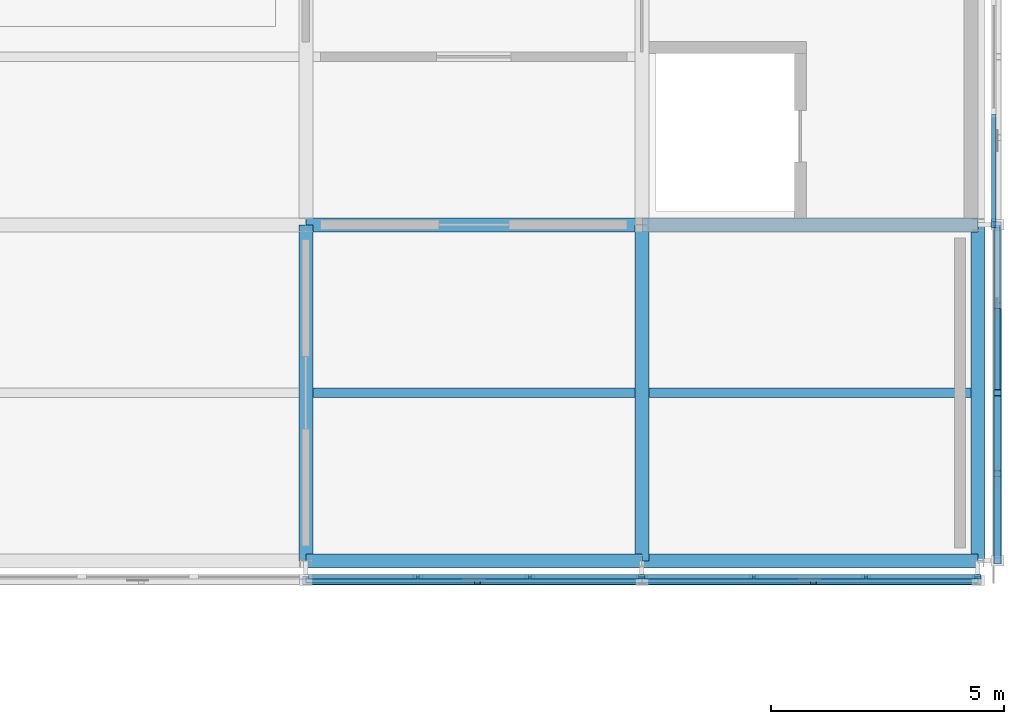
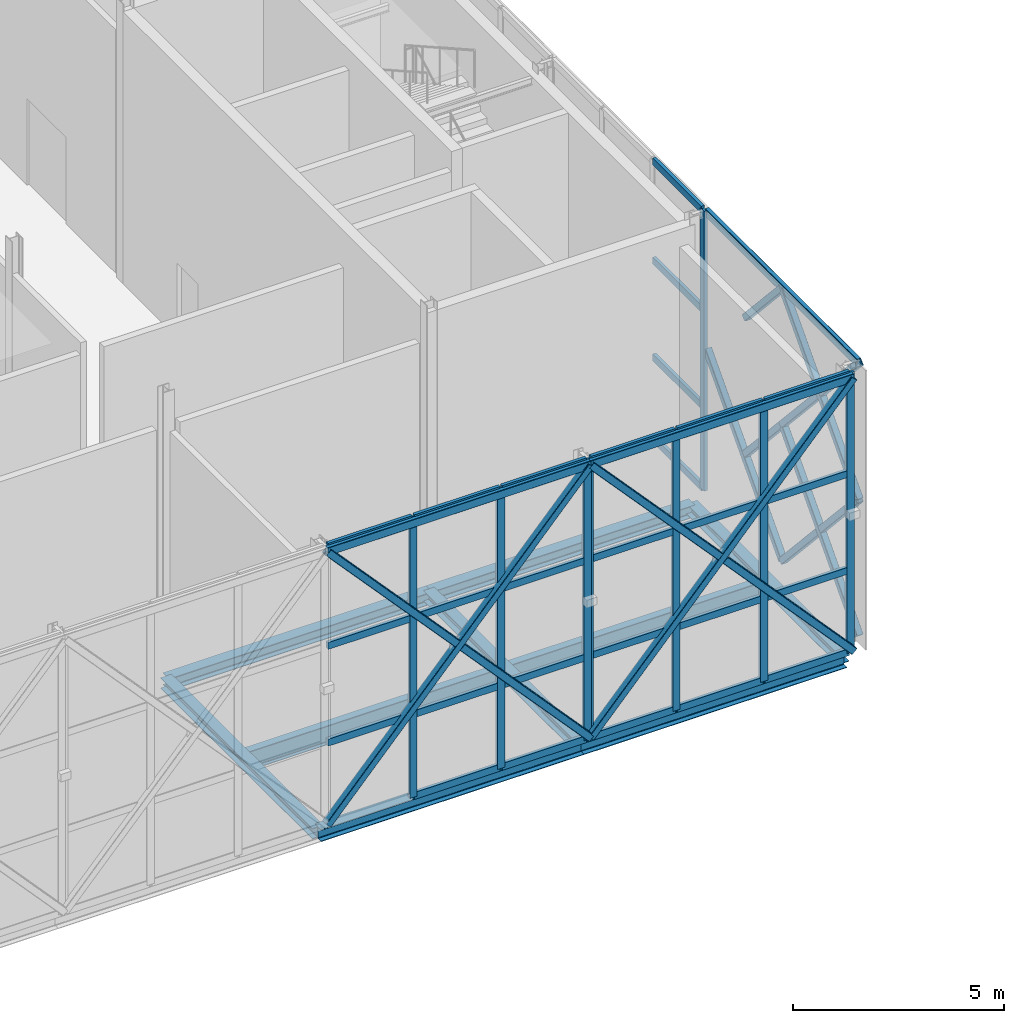
# One storey, part 45 of 76: 53 members, 9 beams, 3 elements without a shape of their own.
"""IFC4 building model written with IfcOpenShell, lengths in metres."""

from ifc_helpers import new_model, si_unit, direction, frame, origin, origin_2d, place, context, subcontext, project, spatial, rectangle, hollow_rectangle, i_section, extrude, material, material_profile, profile_set, type_object, element, aggregate, save


model = new_model("IFC4")

# Units and contexts
model_context = context("Model", 3, precision=1e-05, world=origin(), true_north=direction((0.0, 1.0)))
body_context = subcontext(model_context, "Body", "Model", "MODEL_VIEW")
ifc_project = project(units=[si_unit("LENGTHUNIT", "METRE"), si_unit("AREAUNIT", "SQUARE_METRE"), si_unit("VOLUMEUNIT", "CUBIC_METRE"), si_unit("PLANEANGLEUNIT", "RADIAN"), si_unit("MASSUNIT", "GRAM", prefix="KILO")], contexts=[model_context])

# Site, building, storey
site_placement = place(None, origin())
site = spatial("IfcSite", under=ifc_project, at=site_placement, CompositionType="ELEMENT")
building_placement = place(site_placement, origin())
building = spatial("IfcBuilding", under=site, at=building_placement, Name="Zlatovets Crest Museum", CompositionType="ELEMENT")
storey_placement = place(building_placement, frame((0.0, 0.0, 17.10009765625)))
storey = spatial("IfcBuildingStorey", under=building, at=storey_placement, Name="L04", CompositionType="ELEMENT", Elevation=17.10009765625)

# Beams
ifc_material_1 = material(Name="Structural steel S355J2", Category="steel")
ifc_material_profile_1 = material_profile(ifc_material_1, i_section(OverallWidth=0.300048828125, OverallDepth=0.35009765625, WebThickness=0.010009765625, FlangeThickness=0.017578125, FilletRadius=0.027099609375, at=origin_2d()), Name="HEA 360")
ifc_profile_set_1 = profile_set([ifc_material_profile_1], Name="Structural steel S355J2")
beam_type_1 = type_object("IfcBeamType", Name="Beam_B-03", PredefinedType="BEAM", material=ifc_profile_set_1)
for number, where, z_axis, x_axis, name in (
    (1, (93.60009765625, 86.39990234375, -0.4150390625), (1.0, 0.0, 0.0), (0.0, 1.0, 0.0), "V1 L04 Primary Girder B-03"),
    (2, (100.800048828125, 86.39990234375, -0.4150390625), (1.0, 0.0, 0.0), (0.0, 1.0, 0.0), "V1 L04 Primary Girder B-03"),
    (3, (93.60009765625, 93.60009765625, -0.4150390625), (1.0, 0.0, 0.0), (0.0, 1.0, 0.0), "V1 L04 Primary Girder B-03"),
    (4, (100.800048828125, 93.60009765625, -0.4150390625), (1.0, 0.0, 0.0), (0.0, 1.0, 0.0), "V1 L04 Primary Girder B-03"),
):
    element("IfcBeam", number, at=place(storey_placement, frame(where, z_axis=z_axis, x_axis=x_axis)), inside=storey, type_object=beam_type_1, Name=name, PredefinedType="BEAM", context=body_context, shape_type="SweptSolid", body=[
        extrude(i_section(OverallWidth=0.300048828125, OverallDepth=0.35009765625, WebThickness=0.010009765625, FlangeThickness=0.017578125, FilletRadius=0.027099609375, at=origin_2d()), origin(), (0.0, 0.0, 1.0), 7.199951171875),
    ])
ifc_material_profile_2 = material_profile(ifc_material_1, i_section(OverallWidth=0.300048828125, OverallDepth=0.31005859375, WebThickness=0.009033203125, FlangeThickness=0.015380859375, FilletRadius=0.027099609375, at=origin_2d()), Name="HEA 320")
ifc_profile_set_2 = profile_set([ifc_material_profile_2], Name="Structural steel S355J2")
beam_type_2 = type_object("IfcBeamType", Name="Beam_B-04", PredefinedType="BEAM", material=ifc_profile_set_2)
for number, where, z_axis, x_axis, name in (
    (5, (93.60009765625, 86.39990234375, -0.39501953125), (0.0, 1.0, 0.0), (-1.0, 0.0, 0.0), "V1 L04 Grid Beam B-04"),
    (6, (100.800048828125, 86.39990234375, -0.39501953125), (0.0, 1.0, 0.0), (-1.0, 0.0, 0.0), "V1 L04 Grid Beam B-04"),
    (7, (108.0, 86.39990234375, -0.39501953125), (0.0, 1.0, 0.0), (-1.0, 0.0, 0.0), "V1 L04 Grid Beam B-04"),
):
    element("IfcBeam", number, at=place(storey_placement, frame(where, z_axis=z_axis, x_axis=x_axis)), inside=storey, type_object=beam_type_2, Name=name, PredefinedType="BEAM", context=body_context, shape_type="SweptSolid", body=[
        extrude(i_section(OverallWidth=0.300048828125, OverallDepth=0.31005859375, WebThickness=0.009033203125, FlangeThickness=0.015380859375, FilletRadius=0.027099609375, at=origin_2d()), origin(), (0.0, 0.0, 1.0), 7.2001953125),
    ])
ifc_material_profile_3 = material_profile(ifc_material_1, i_section(OverallWidth=0.2099609375, OverallDepth=0.550048828125, WebThickness=0.010986328125, FlangeThickness=0.01708984375, FilletRadius=0.02392578125, at=origin_2d()), Name="IPE 550")
ifc_profile_set_3 = profile_set([ifc_material_profile_3], Name="Structural steel S355J2")
beam_type_3 = type_object("IfcBeamType", Name="Beam_J-07", PredefinedType="JOIST", material=ifc_profile_set_3)
beam_1_placement = place(storey_placement, frame((93.75, 90.0, -0.51513671875), z_axis=(1.0, 0.0, 0.0), x_axis=(0.0, 1.0, 0.0)))
element("IfcBeam", 8, at=beam_1_placement, inside=storey, type_object=beam_type_3, Name="V1 L04 Composite Joist J-07", PredefinedType="JOIST", context=body_context, shape_type="SweptSolid", body=[
    extrude(i_section(OverallWidth=0.2099609375, OverallDepth=0.550048828125, WebThickness=0.010986328125, FlangeThickness=0.01708984375, FilletRadius=0.02392578125, at=origin_2d()), origin(), (0.0, 0.0, 1.0), 6.89990234375),
])
beam_2_placement = place(storey_placement, frame((100.949951171875, 90.0, -0.51513671875), z_axis=(1.0, 0.0, 0.0), x_axis=(0.0, 1.0, 0.0)))
element("IfcBeam", 9, at=beam_2_placement, inside=storey, type_object=beam_type_3, Name="V1 L04 Composite Joist J-07", PredefinedType="JOIST", context=body_context, shape_type="SweptSolid", body=[
    extrude(i_section(OverallWidth=0.2099609375, OverallDepth=0.550048828125, WebThickness=0.010986328125, FlangeThickness=0.01708984375, FilletRadius=0.02392578125, at=origin_2d()), origin(), (0.0, 0.0, 1.0), 6.900146484375),
])

# Curtain wall, members
ifc_material_2 = material(Name="Bronze-anodised aluminium and low-E triple glass", Category="aluminium")
curtain_wall_type_1 = type_object("IfcCurtainWallType", Name="CW_CW-V1-L04-M1", PredefinedType="NOTDEFINED", material=ifc_material_2)
curtain_wall_1_placement = place(storey_placement, origin())
curtain_wall_1 = element("IfcCurtainWall", 10, at=curtain_wall_1_placement, inside=storey, type_object=curtain_wall_type_1, Name="V1 L04 Secession Foyer Clear Curtain Wall", PredefinedType="NOTDEFINED")
ifc_material_3 = material(Name="Bronze-anodised aluminium EN AW-6060", Category="aluminium")
ifc_material_profile_4 = material_profile(ifc_material_3, rectangle(XDim=0.090087890625, YDim=0.199951171875, at=origin_2d()), Name="ALU 90x200")
ifc_profile_set_4 = profile_set([ifc_material_profile_4], Name="Bronze-anodised aluminium EN AW-6060")
member_type_1 = type_object("IfcMemberType", Name="CWMull_M2", PredefinedType="MULLION", material=ifc_profile_set_4)
member_1_placement = place(storey_placement, frame((96.0, 86.06005859375, 0.0), z_axis=(0.0, 0.0, 1.0), x_axis=(0.0, 1.0, 0.0)))
member_1 = element("IfcMember", 11, at=member_1_placement, type_object=member_type_1, Name="CW-V1-L04-M1 mullion 2", PredefinedType="MULLION", context=body_context, shape_type="SweptSolid", body=[
    extrude(rectangle(XDim=0.090087890625, YDim=0.199951171875, at=origin_2d()), origin(), (0.0, 0.0, 1.0), 8.099853515625),
])
member_2_placement = place(storey_placement, frame((98.39990234375, 86.06005859375, 0.0), z_axis=(0.0, 0.0, 1.0), x_axis=(0.0, 1.0, 0.0)))
member_2 = element("IfcMember", 12, at=member_2_placement, type_object=member_type_1, Name="CW-V1-L04-M1 mullion 3", PredefinedType="MULLION", context=body_context, shape_type="SweptSolid", body=[
    extrude(rectangle(XDim=0.090087890625, YDim=0.199951171875, at=origin_2d()), origin(), (0.0, 0.0, 1.0), 8.099853515625),
])
member_3_placement = place(storey_placement, frame((100.77001953125, 86.06005859375, 0.0), z_axis=(0.0, 0.0, 1.0), x_axis=(0.0, 1.0, 0.0)))
member_3 = element("IfcMember", 13, at=member_3_placement, type_object=member_type_1, Name="CW-V1-L04-M1 mullion 4", PredefinedType="MULLION", context=body_context, shape_type="SweptSolid", body=[
    extrude(rectangle(XDim=0.090087890625, YDim=0.199951171875, at=origin_2d()), origin(), (0.0, 0.0, 1.0), 8.099853515625),
])

curtain_wall_type_2 = type_object("IfcCurtainWallType", Name="CW_CW-V1-L04-M2", PredefinedType="NOTDEFINED", material=ifc_material_2)
curtain_wall_2_placement = place(storey_placement, origin())
curtain_wall_2 = element("IfcCurtainWall", 14, at=curtain_wall_2_placement, inside=storey, type_object=curtain_wall_type_2, Name="V1 L04 Secession Foyer Clear Curtain Wall", PredefinedType="NOTDEFINED")
member_4_placement = place(storey_placement, frame((100.830078125, 86.06005859375, 0.0), z_axis=(0.0, 0.0, 1.0), x_axis=(0.0, 1.0, 0.0)))
member_4 = element("IfcMember", 15, at=member_4_placement, type_object=member_type_1, Name="CW-V1-L04-M2 mullion 1", PredefinedType="MULLION", context=body_context, shape_type="SweptSolid", body=[
    extrude(rectangle(XDim=0.090087890625, YDim=0.199951171875, at=origin_2d()), origin(), (0.0, 0.0, 1.0), 8.099853515625),
])
member_5_placement = place(storey_placement, frame((103.199951171875, 86.06005859375, 0.0), z_axis=(0.0, 0.0, 1.0), x_axis=(0.0, 1.0, 0.0)))
member_5 = element("IfcMember", 16, at=member_5_placement, type_object=member_type_1, Name="CW-V1-L04-M2 mullion 2", PredefinedType="MULLION", context=body_context, shape_type="SweptSolid", body=[
    extrude(rectangle(XDim=0.090087890625, YDim=0.199951171875, at=origin_2d()), origin(), (0.0, 0.0, 1.0), 8.099853515625),
])
member_6_placement = place(storey_placement, frame((105.60009765625, 86.06005859375, 0.0), z_axis=(0.0, 0.0, 1.0), x_axis=(0.0, 1.0, 0.0)))
member_6 = element("IfcMember", 17, at=member_6_placement, type_object=member_type_1, Name="CW-V1-L04-M2 mullion 3", PredefinedType="MULLION", context=body_context, shape_type="SweptSolid", body=[
    extrude(rectangle(XDim=0.090087890625, YDim=0.199951171875, at=origin_2d()), origin(), (0.0, 0.0, 1.0), 8.099853515625),
])
member_7_placement = place(storey_placement, frame((107.969970703125, 86.06005859375, 0.0), z_axis=(0.0, 0.0, 1.0), x_axis=(0.0, 1.0, 0.0)))
member_7 = element("IfcMember", 18, at=member_7_placement, type_object=member_type_1, Name="CW-V1-L04-M2 mullion 4", PredefinedType="MULLION", context=body_context, shape_type="SweptSolid", body=[
    extrude(rectangle(XDim=0.090087890625, YDim=0.199951171875, at=origin_2d()), origin(), (0.0, 0.0, 1.0), 8.099853515625),
])

# Curtain wall, member
curtain_wall_type_3 = type_object("IfcCurtainWallType", Name="CW_CW-V1-L04-M0", PredefinedType="NOTDEFINED", material=ifc_material_2)
curtain_wall_3_placement = place(storey_placement, origin())
curtain_wall_3 = element("IfcCurtainWall", 19, at=curtain_wall_3_placement, inside=storey, type_object=curtain_wall_type_3, Name="V1 L04 Expressed Core Glazed Facade", PredefinedType="NOTDEFINED")
member_8_placement = place(storey_placement, frame((108.340087890625, 93.6298828125, 0.0), z_axis=(0.0, 0.0, 1.0), x_axis=(-1.0, 0.0, 0.0)))
member_8 = element("IfcMember", 20, at=member_8_placement, type_object=member_type_1, Name="CW-V1-L04-M0 mullion 1", PredefinedType="MULLION", context=body_context, shape_type="SweptSolid", body=[
    extrude(rectangle(XDim=0.090087890625, YDim=0.199951171875, at=origin_2d()), origin(), (0.0, 0.0, 1.0), 8.099853515625),
])

# Member
ifc_material_profile_5 = material_profile(ifc_material_3, rectangle(XDim=0.090087890625, YDim=0.199951171875, at=origin_2d()), Name="ALU 90x200")
ifc_profile_set_5 = profile_set([ifc_material_profile_5], Name="Bronze-anodised aluminium EN AW-6060")
member_type_2 = type_object("IfcMemberType", Name="CWTrans_T2", PredefinedType="USERDEFINED", material=ifc_profile_set_5)
member_9_placement = place(storey_placement, frame((93.659912109375, 86.06005859375, 2.39990234375), z_axis=(1.0, 0.0, 0.0), x_axis=(0.0, 1.0, 0.0)))
member_9 = element("IfcMember", 21, at=member_9_placement, type_object=member_type_2, Name="CW-V1-L04-M1 transom 1.2", ObjectType="TRANSOM", PredefinedType="USERDEFINED", context=body_context, shape_type="SweptSolid", body=[
    extrude(rectangle(XDim=0.090087890625, YDim=0.199951171875, at=origin_2d()), origin(), (0.0, 0.0, 1.0), 2.31005859375),
])

member_10_placement = place(storey_placement, frame((93.659912109375, 86.06005859375, 5.199951171875), z_axis=(1.0, 0.0, 0.0), x_axis=(0.0, 1.0, 0.0)))
member_10 = element("IfcMember", 22, at=member_10_placement, type_object=member_type_2, Name="CW-V1-L04-M1 transom 1.3", ObjectType="TRANSOM", PredefinedType="USERDEFINED", context=body_context, shape_type="SweptSolid", body=[
    extrude(rectangle(XDim=0.090087890625, YDim=0.199951171875, at=origin_2d()), origin(), (0.0, 0.0, 1.0), 2.31005859375),
])

member_11_placement = place(storey_placement, frame((93.659912109375, 86.06005859375, 8.06982421875), z_axis=(1.0, 0.0, 0.0), x_axis=(0.0, 1.0, 0.0)))
member_11 = element("IfcMember", 23, at=member_11_placement, type_object=member_type_2, Name="CW-V1-L04-M1 transom 1.4", ObjectType="TRANSOM", PredefinedType="USERDEFINED", context=body_context, shape_type="SweptSolid", body=[
    extrude(rectangle(XDim=0.090087890625, YDim=0.199951171875, at=origin_2d()), origin(), (0.0, 0.0, 1.0), 2.31005859375),
])

member_12_placement = place(storey_placement, frame((96.030029296875, 86.06005859375, 0.02978515625), z_axis=(1.0, 0.0, 0.0), x_axis=(0.0, 1.0, 0.0)))
member_12 = element("IfcMember", 24, at=member_12_placement, type_object=member_type_2, Name="CW-V1-L04-M1 transom 2.1", ObjectType="TRANSOM", PredefinedType="USERDEFINED", context=body_context, shape_type="SweptSolid", body=[
    extrude(rectangle(XDim=0.090087890625, YDim=0.199951171875, at=origin_2d()), origin(), (0.0, 0.0, 1.0), 2.340087890625),
])

member_13_placement = place(storey_placement, frame((96.030029296875, 86.06005859375, 2.39990234375), z_axis=(1.0, 0.0, 0.0), x_axis=(0.0, 1.0, 0.0)))
member_13 = element("IfcMember", 25, at=member_13_placement, type_object=member_type_2, Name="CW-V1-L04-M1 transom 2.2", ObjectType="TRANSOM", PredefinedType="USERDEFINED", context=body_context, shape_type="SweptSolid", body=[
    extrude(rectangle(XDim=0.090087890625, YDim=0.199951171875, at=origin_2d()), origin(), (0.0, 0.0, 1.0), 2.340087890625),
])

member_14_placement = place(storey_placement, frame((96.030029296875, 86.06005859375, 5.199951171875), z_axis=(1.0, 0.0, 0.0), x_axis=(0.0, 1.0, 0.0)))
member_14 = element("IfcMember", 26, at=member_14_placement, type_object=member_type_2, Name="CW-V1-L04-M1 transom 2.3", ObjectType="TRANSOM", PredefinedType="USERDEFINED", context=body_context, shape_type="SweptSolid", body=[
    extrude(rectangle(XDim=0.090087890625, YDim=0.199951171875, at=origin_2d()), origin(), (0.0, 0.0, 1.0), 2.340087890625),
])

member_15_placement = place(storey_placement, frame((96.030029296875, 86.06005859375, 8.06982421875), z_axis=(1.0, 0.0, 0.0), x_axis=(0.0, 1.0, 0.0)))
member_15 = element("IfcMember", 27, at=member_15_placement, type_object=member_type_2, Name="CW-V1-L04-M1 transom 2.4", ObjectType="TRANSOM", PredefinedType="USERDEFINED", context=body_context, shape_type="SweptSolid", body=[
    extrude(rectangle(XDim=0.090087890625, YDim=0.199951171875, at=origin_2d()), origin(), (0.0, 0.0, 1.0), 2.340087890625),
])

member_16_placement = place(storey_placement, frame((98.429931640625, 86.06005859375, 0.02978515625), z_axis=(1.0, 0.0, 0.0), x_axis=(0.0, 1.0, 0.0)))
member_16 = element("IfcMember", 28, at=member_16_placement, type_object=member_type_2, Name="CW-V1-L04-M1 transom 3.1", ObjectType="TRANSOM", PredefinedType="USERDEFINED", context=body_context, shape_type="SweptSolid", body=[
    extrude(rectangle(XDim=0.090087890625, YDim=0.199951171875, at=origin_2d()), origin(), (0.0, 0.0, 1.0), 2.31005859375),
])

member_17_placement = place(storey_placement, frame((98.429931640625, 86.06005859375, 2.39990234375), z_axis=(1.0, 0.0, 0.0), x_axis=(0.0, 1.0, 0.0)))
member_17 = element("IfcMember", 29, at=member_17_placement, type_object=member_type_2, Name="CW-V1-L04-M1 transom 3.2", ObjectType="TRANSOM", PredefinedType="USERDEFINED", context=body_context, shape_type="SweptSolid", body=[
    extrude(rectangle(XDim=0.090087890625, YDim=0.199951171875, at=origin_2d()), origin(), (0.0, 0.0, 1.0), 2.31005859375),
])

member_18_placement = place(storey_placement, frame((98.429931640625, 86.06005859375, 5.199951171875), z_axis=(1.0, 0.0, 0.0), x_axis=(0.0, 1.0, 0.0)))
member_18 = element("IfcMember", 30, at=member_18_placement, type_object=member_type_2, Name="CW-V1-L04-M1 transom 3.3", ObjectType="TRANSOM", PredefinedType="USERDEFINED", context=body_context, shape_type="SweptSolid", body=[
    extrude(rectangle(XDim=0.090087890625, YDim=0.199951171875, at=origin_2d()), origin(), (0.0, 0.0, 1.0), 2.31005859375),
])

member_19_placement = place(storey_placement, frame((98.429931640625, 86.06005859375, 8.06982421875), z_axis=(1.0, 0.0, 0.0), x_axis=(0.0, 1.0, 0.0)))
member_19 = element("IfcMember", 31, at=member_19_placement, type_object=member_type_2, Name="CW-V1-L04-M1 transom 3.4", ObjectType="TRANSOM", PredefinedType="USERDEFINED", context=body_context, shape_type="SweptSolid", body=[
    extrude(rectangle(XDim=0.090087890625, YDim=0.199951171875, at=origin_2d()), origin(), (0.0, 0.0, 1.0), 2.31005859375),
])

aggregate(curtain_wall_1, [member_1, member_2, member_3, member_9, member_10, member_11, member_12, member_13, member_14, member_15, member_16, member_17, member_18, member_19])

member_20_placement = place(storey_placement, frame((100.860107421875, 86.06005859375, 0.02978515625), z_axis=(1.0, 0.0, 0.0), x_axis=(0.0, 1.0, 0.0)))
member_20 = element("IfcMember", 32, at=member_20_placement, type_object=member_type_2, Name="CW-V1-L04-M2 transom 1.1", ObjectType="TRANSOM", PredefinedType="USERDEFINED", context=body_context, shape_type="SweptSolid", body=[
    extrude(rectangle(XDim=0.090087890625, YDim=0.199951171875, at=origin_2d()), origin(), (0.0, 0.0, 1.0), 2.309814453125),
])

member_21_placement = place(storey_placement, frame((100.860107421875, 86.06005859375, 2.39990234375), z_axis=(1.0, 0.0, 0.0), x_axis=(0.0, 1.0, 0.0)))
member_21 = element("IfcMember", 33, at=member_21_placement, type_object=member_type_2, Name="CW-V1-L04-M2 transom 1.2", ObjectType="TRANSOM", PredefinedType="USERDEFINED", context=body_context, shape_type="SweptSolid", body=[
    extrude(rectangle(XDim=0.090087890625, YDim=0.199951171875, at=origin_2d()), origin(), (0.0, 0.0, 1.0), 2.309814453125),
])

member_22_placement = place(storey_placement, frame((100.860107421875, 86.06005859375, 5.199951171875), z_axis=(1.0, 0.0, 0.0), x_axis=(0.0, 1.0, 0.0)))
member_22 = element("IfcMember", 34, at=member_22_placement, type_object=member_type_2, Name="CW-V1-L04-M2 transom 1.3", ObjectType="TRANSOM", PredefinedType="USERDEFINED", context=body_context, shape_type="SweptSolid", body=[
    extrude(rectangle(XDim=0.090087890625, YDim=0.199951171875, at=origin_2d()), origin(), (0.0, 0.0, 1.0), 2.309814453125),
])

member_23_placement = place(storey_placement, frame((100.860107421875, 86.06005859375, 8.06982421875), z_axis=(1.0, 0.0, 0.0), x_axis=(0.0, 1.0, 0.0)))
member_23 = element("IfcMember", 35, at=member_23_placement, type_object=member_type_2, Name="CW-V1-L04-M2 transom 1.4", ObjectType="TRANSOM", PredefinedType="USERDEFINED", context=body_context, shape_type="SweptSolid", body=[
    extrude(rectangle(XDim=0.090087890625, YDim=0.199951171875, at=origin_2d()), origin(), (0.0, 0.0, 1.0), 2.309814453125),
])

member_24_placement = place(storey_placement, frame((103.22998046875, 86.06005859375, 0.02978515625), z_axis=(1.0, 0.0, 0.0), x_axis=(0.0, 1.0, 0.0)))
member_24 = element("IfcMember", 36, at=member_24_placement, type_object=member_type_2, Name="CW-V1-L04-M2 transom 2.1", ObjectType="TRANSOM", PredefinedType="USERDEFINED", context=body_context, shape_type="SweptSolid", body=[
    extrude(rectangle(XDim=0.090087890625, YDim=0.199951171875, at=origin_2d()), origin(), (0.0, 0.0, 1.0), 2.340087890625),
])

member_25_placement = place(storey_placement, frame((103.22998046875, 86.06005859375, 2.39990234375), z_axis=(1.0, 0.0, 0.0), x_axis=(0.0, 1.0, 0.0)))
member_25 = element("IfcMember", 37, at=member_25_placement, type_object=member_type_2, Name="CW-V1-L04-M2 transom 2.2", ObjectType="TRANSOM", PredefinedType="USERDEFINED", context=body_context, shape_type="SweptSolid", body=[
    extrude(rectangle(XDim=0.090087890625, YDim=0.199951171875, at=origin_2d()), origin(), (0.0, 0.0, 1.0), 2.340087890625),
])

member_26_placement = place(storey_placement, frame((103.22998046875, 86.06005859375, 5.199951171875), z_axis=(1.0, 0.0, 0.0), x_axis=(0.0, 1.0, 0.0)))
member_26 = element("IfcMember", 38, at=member_26_placement, type_object=member_type_2, Name="CW-V1-L04-M2 transom 2.3", ObjectType="TRANSOM", PredefinedType="USERDEFINED", context=body_context, shape_type="SweptSolid", body=[
    extrude(rectangle(XDim=0.090087890625, YDim=0.199951171875, at=origin_2d()), origin(), (0.0, 0.0, 1.0), 2.340087890625),
])

member_27_placement = place(storey_placement, frame((103.22998046875, 86.06005859375, 8.06982421875), z_axis=(1.0, 0.0, 0.0), x_axis=(0.0, 1.0, 0.0)))
member_27 = element("IfcMember", 39, at=member_27_placement, type_object=member_type_2, Name="CW-V1-L04-M2 transom 2.4", ObjectType="TRANSOM", PredefinedType="USERDEFINED", context=body_context, shape_type="SweptSolid", body=[
    extrude(rectangle(XDim=0.090087890625, YDim=0.199951171875, at=origin_2d()), origin(), (0.0, 0.0, 1.0), 2.340087890625),
])

member_28_placement = place(storey_placement, frame((105.6298828125, 86.06005859375, 0.02978515625), z_axis=(1.0, 0.0, 0.0), x_axis=(0.0, 1.0, 0.0)))
member_28 = element("IfcMember", 40, at=member_28_placement, type_object=member_type_2, Name="CW-V1-L04-M2 transom 3.1", ObjectType="TRANSOM", PredefinedType="USERDEFINED", context=body_context, shape_type="SweptSolid", body=[
    extrude(rectangle(XDim=0.090087890625, YDim=0.199951171875, at=origin_2d()), origin(), (0.0, 0.0, 1.0), 2.31005859375),
])

member_29_placement = place(storey_placement, frame((105.6298828125, 86.06005859375, 2.39990234375), z_axis=(1.0, 0.0, 0.0), x_axis=(0.0, 1.0, 0.0)))
member_29 = element("IfcMember", 41, at=member_29_placement, type_object=member_type_2, Name="CW-V1-L04-M2 transom 3.2", ObjectType="TRANSOM", PredefinedType="USERDEFINED", context=body_context, shape_type="SweptSolid", body=[
    extrude(rectangle(XDim=0.090087890625, YDim=0.199951171875, at=origin_2d()), origin(), (0.0, 0.0, 1.0), 2.31005859375),
])

member_30_placement = place(storey_placement, frame((105.6298828125, 86.06005859375, 5.199951171875), z_axis=(1.0, 0.0, 0.0), x_axis=(0.0, 1.0, 0.0)))
member_30 = element("IfcMember", 42, at=member_30_placement, type_object=member_type_2, Name="CW-V1-L04-M2 transom 3.3", ObjectType="TRANSOM", PredefinedType="USERDEFINED", context=body_context, shape_type="SweptSolid", body=[
    extrude(rectangle(XDim=0.090087890625, YDim=0.199951171875, at=origin_2d()), origin(), (0.0, 0.0, 1.0), 2.31005859375),
])

member_31_placement = place(storey_placement, frame((105.6298828125, 86.06005859375, 8.06982421875), z_axis=(1.0, 0.0, 0.0), x_axis=(0.0, 1.0, 0.0)))
member_31 = element("IfcMember", 43, at=member_31_placement, type_object=member_type_2, Name="CW-V1-L04-M2 transom 3.4", ObjectType="TRANSOM", PredefinedType="USERDEFINED", context=body_context, shape_type="SweptSolid", body=[
    extrude(rectangle(XDim=0.090087890625, YDim=0.199951171875, at=origin_2d()), origin(), (0.0, 0.0, 1.0), 2.31005859375),
])

aggregate(curtain_wall_2, [member_4, member_5, member_6, member_7, member_20, member_21, member_22, member_23, member_24, member_25, member_26, member_27, member_28, member_29, member_30, member_31])

member_32_placement = place(storey_placement, frame((108.340087890625, 93.659912109375, 0.02978515625), z_axis=(0.0, 1.0, 0.0), x_axis=(-1.0, 0.0, 0.0)))
member_32 = element("IfcMember", 44, at=member_32_placement, type_object=member_type_2, Name="CW-V1-L04-M0 transom 1.1", ObjectType="TRANSOM", PredefinedType="USERDEFINED", context=body_context, shape_type="SweptSolid", body=[
    extrude(rectangle(XDim=0.090087890625, YDim=0.199951171875, at=origin_2d()), origin(), (0.0, 0.0, 1.0), 2.31005859375),
])

member_33_placement = place(storey_placement, frame((108.340087890625, 93.659912109375, 2.39990234375), z_axis=(0.0, 1.0, 0.0), x_axis=(-1.0, 0.0, 0.0)))
member_33 = element("IfcMember", 45, at=member_33_placement, type_object=member_type_2, Name="CW-V1-L04-M0 transom 1.2", ObjectType="TRANSOM", PredefinedType="USERDEFINED", context=body_context, shape_type="SweptSolid", body=[
    extrude(rectangle(XDim=0.090087890625, YDim=0.199951171875, at=origin_2d()), origin(), (0.0, 0.0, 1.0), 2.31005859375),
])

member_34_placement = place(storey_placement, frame((108.340087890625, 93.659912109375, 5.199951171875), z_axis=(0.0, 1.0, 0.0), x_axis=(-1.0, 0.0, 0.0)))
member_34 = element("IfcMember", 46, at=member_34_placement, type_object=member_type_2, Name="CW-V1-L04-M0 transom 1.3", ObjectType="TRANSOM", PredefinedType="USERDEFINED", context=body_context, shape_type="SweptSolid", body=[
    extrude(rectangle(XDim=0.090087890625, YDim=0.199951171875, at=origin_2d()), origin(), (0.0, 0.0, 1.0), 2.31005859375),
])

member_35_placement = place(storey_placement, frame((108.340087890625, 93.659912109375, 8.06982421875), z_axis=(0.0, 1.0, 0.0), x_axis=(-1.0, 0.0, 0.0)))
member_35 = element("IfcMember", 47, at=member_35_placement, type_object=member_type_2, Name="CW-V1-L04-M0 transom 1.4", ObjectType="TRANSOM", PredefinedType="USERDEFINED", context=body_context, shape_type="SweptSolid", body=[
    extrude(rectangle(XDim=0.090087890625, YDim=0.199951171875, at=origin_2d()), origin(), (0.0, 0.0, 1.0), 2.31005859375),
])

aggregate(curtain_wall_3, [member_8, member_32, member_33, member_34, member_35])

# Members
ifc_material_4 = material(Name="Weathering bronze-steel S355J2W", Category="steel")
ifc_material_profile_6 = material_profile(ifc_material_4, hollow_rectangle(XDim=0.179931640625, YDim=0.179931640625, WallThickness=0.010009765625, InnerFilletRadius=0.010009765625, OuterFilletRadius=0.02001953125, at=origin_2d()), Name="SHS 180x180x10.0")
ifc_profile_set_6 = profile_set([ifc_material_profile_6], Name="Weathering bronze-steel S355J2W")
member_type_3 = type_object("IfcMemberType", Name="Lattice_XL-01", PredefinedType="BRACE", material=ifc_profile_set_6)
member_36_placement = place(storey_placement, frame((108.419921875, 86.39990234375, 0.099853515625), z_axis=(0.0, 0.673618118362, 0.739079583411), x_axis=(-1.0, 0.0, 0.0)))
element("IfcMember", 48, at=member_36_placement, inside=storey, type_object=member_type_3, Name="Continuous Bronze Lattice Diagonal", PredefinedType="BRACE", context=body_context, shape_type="SweptSolid", body=[
    extrude(hollow_rectangle(XDim=0.179931640625, YDim=0.179931640625, WallThickness=0.010009765625, InnerFilletRadius=0.010009765625, OuterFilletRadius=0.02001953125, at=origin_2d()), origin(), (0.0, 0.0, 1.0), 5.344482421875),
])
for number, where, z_axis, x_axis, name in (
    (49, (108.419921875, 86.39990234375, 4.0498046875), (0.0, 0.673619963761, -0.739077901457), (-1.0, 0.0, 0.0), "Split Crossing Bronze Lattice Diagonal Upper"),
    (50, (108.419921875, 88.263916015625, 2.004638671875), (0.0, 0.673619963761, -0.739077901457), (-1.0, 0.0, 0.0), "Split Crossing Bronze Lattice Diagonal Lower"),
):
    element("IfcMember", number, at=place(storey_placement, frame(where, z_axis=z_axis, x_axis=x_axis)), inside=storey, type_object=member_type_3, Name=name, PredefinedType="BRACE", context=body_context, shape_type="SweptSolid", body=[
        extrude(hollow_rectangle(XDim=0.179931640625, YDim=0.179931640625, WallThickness=0.010009765625, InnerFilletRadius=0.010009765625, OuterFilletRadius=0.02001953125, at=origin_2d()), origin(), (0.0, 0.0, 1.0), 2.5771484375),
    ])
member_37_placement = place(storey_placement, frame((108.419921875, 90.0, 0.099853515625), z_axis=(0.0, 0.673618118362, 0.739079583411), x_axis=(-1.0, 0.0, 0.0)))
element("IfcMember", 51, at=member_37_placement, inside=storey, type_object=member_type_3, Name="Continuous Bronze Lattice Diagonal", PredefinedType="BRACE", context=body_context, shape_type="SweptSolid", body=[
    extrude(hollow_rectangle(XDim=0.179931640625, YDim=0.179931640625, WallThickness=0.010009765625, InnerFilletRadius=0.010009765625, OuterFilletRadius=0.02001953125, at=origin_2d()), origin(), (0.0, 0.0, 1.0), 5.344482421875),
])
member_38_placement = place(storey_placement, frame((108.419921875, 90.0, 4.0498046875), z_axis=(0.0, 0.673619963761, -0.739077901457), x_axis=(-1.0, 0.0, 0.0)))
element("IfcMember", 52, at=member_38_placement, inside=storey, type_object=member_type_3, Name="Split Crossing Bronze Lattice Diagonal Upper", PredefinedType="BRACE", context=body_context, shape_type="SweptSolid", body=[
    extrude(hollow_rectangle(XDim=0.179931640625, YDim=0.179931640625, WallThickness=0.010009765625, InnerFilletRadius=0.010009765625, OuterFilletRadius=0.02001953125, at=origin_2d()), origin(), (0.0, 0.0, 1.0), 2.5771484375),
])
member_39_placement = place(storey_placement, frame((108.419921875, 86.39990234375, 4.0498046875), z_axis=(0.0, 0.673595375981, 0.739100310822), x_axis=(-1.0, 0.0, 0.0)))
element("IfcMember", 53, at=member_39_placement, inside=storey, type_object=member_type_3, Name="Continuous Bronze Lattice Diagonal", PredefinedType="BRACE", context=body_context, shape_type="SweptSolid", body=[
    extrude(hollow_rectangle(XDim=0.179931640625, YDim=0.179931640625, WallThickness=0.010009765625, InnerFilletRadius=0.010009765625, OuterFilletRadius=0.02001953125, at=origin_2d()), origin(), (0.0, 0.0, 1.0), 5.344482421875),
])
for number, where, z_axis, x_axis, name in (
    (54, (108.419921875, 86.39990234375, 8.0), (0.0, 0.673619963761, -0.739077901457), (-1.0, 0.0, 0.0), "Split Crossing Bronze Lattice Diagonal Upper"),
    (55, (108.419921875, 88.263916015625, 5.95458984375), (0.0, 0.673619963761, -0.739077901457), (-1.0, 0.0, 0.0), "Split Crossing Bronze Lattice Diagonal Lower"),
    (56, (108.419921875, 90.0, 8.0), (0.0, 0.673619963761, -0.739077901457), (-1.0, 0.0, 0.0), "Split Crossing Bronze Lattice Diagonal Upper"),
):
    element("IfcMember", number, at=place(storey_placement, frame(where, z_axis=z_axis, x_axis=x_axis)), inside=storey, type_object=member_type_3, Name=name, PredefinedType="BRACE", context=body_context, shape_type="SweptSolid", body=[
        extrude(hollow_rectangle(XDim=0.179931640625, YDim=0.179931640625, WallThickness=0.010009765625, InnerFilletRadius=0.010009765625, OuterFilletRadius=0.02001953125, at=origin_2d()), origin(), (0.0, 0.0, 1.0), 2.5771484375),
    ])
ifc_material_profile_7 = material_profile(ifc_material_4, hollow_rectangle(XDim=0.199951171875, YDim=0.199951171875, WallThickness=0.012451171875, InnerFilletRadius=0.012451171875, OuterFilletRadius=0.02490234375, at=origin_2d()), Name="SHS 200x200x12.5")
ifc_profile_set_7 = profile_set([ifc_material_profile_7], Name="Weathering bronze-steel S355J2W")
member_type_4 = type_object("IfcMemberType", Name="Lattice_XL-02", PredefinedType="BRACE", material=ifc_profile_set_7)
member_40_placement = place(storey_placement, frame((93.60009765625, 85.97998046875, 0.099853515625), z_axis=(0.673594270156, 0.0, 0.739101318639), x_axis=(0.0, 1.0, 0.0)))
element("IfcMember", 57, at=member_40_placement, inside=storey, type_object=member_type_4, Name="Continuous Bronze Lattice Diagonal", PredefinedType="BRACE", context=body_context, shape_type="SweptSolid", body=[
    extrude(hollow_rectangle(XDim=0.199951171875, YDim=0.199951171875, WallThickness=0.012451171875, InnerFilletRadius=0.012451171875, OuterFilletRadius=0.02490234375, at=origin_2d()), origin(), (0.0, 0.0, 1.0), 10.68896484375),
])
member_41_placement = place(storey_placement, frame((93.60009765625, 85.97998046875, 8.0), z_axis=(0.673582041572, 0.0, -0.73911246321), x_axis=(0.0, 1.0, 0.0)))
element("IfcMember", 58, at=member_41_placement, inside=storey, type_object=member_type_4, Name="Split Crossing Bronze Lattice Diagonal Upper", PredefinedType="BRACE", context=body_context, shape_type="SweptSolid", body=[
    extrude(hollow_rectangle(XDim=0.199951171875, YDim=0.199951171875, WallThickness=0.012451171875, InnerFilletRadius=0.012451171875, OuterFilletRadius=0.02490234375, at=origin_2d()), origin(), (0.0, 0.0, 1.0), 5.249267578125),
])
member_42_placement = place(storey_placement, frame((97.263916015625, 85.97998046875, 3.979736328125), z_axis=(0.673607447357, 0.0, -0.739089309127), x_axis=(0.0, 1.0, 0.0)))
element("IfcMember", 59, at=member_42_placement, inside=storey, type_object=member_type_4, Name="Split Crossing Bronze Lattice Diagonal Lower", PredefinedType="BRACE", context=body_context, shape_type="SweptSolid", body=[
    extrude(hollow_rectangle(XDim=0.199951171875, YDim=0.199951171875, WallThickness=0.012451171875, InnerFilletRadius=0.012451171875, OuterFilletRadius=0.02490234375, at=origin_2d()), origin(), (0.0, 0.0, 1.0), 5.24951171875),
])
member_43_placement = place(storey_placement, frame((100.800048828125, 85.97998046875, 0.099853515625), z_axis=(0.673594270156, 0.0, 0.739101318639), x_axis=(0.0, 1.0, 0.0)))
element("IfcMember", 60, at=member_43_placement, inside=storey, type_object=member_type_4, Name="Continuous Bronze Lattice Diagonal", PredefinedType="BRACE", context=body_context, shape_type="SweptSolid", body=[
    extrude(hollow_rectangle(XDim=0.199951171875, YDim=0.199951171875, WallThickness=0.012451171875, InnerFilletRadius=0.012451171875, OuterFilletRadius=0.02490234375, at=origin_2d()), origin(), (0.0, 0.0, 1.0), 10.68896484375),
])
for number, where, z_axis, x_axis, name in (
    (61, (100.800048828125, 85.97998046875, 8.0), (0.673582041572, 0.0, -0.73911246321), (0.0, 1.0, 0.0), "Split Crossing Bronze Lattice Diagonal Upper"),
    (62, (104.464111328125, 85.97998046875, 3.979736328125), (0.673582041572, 0.0, -0.73911246321), (0.0, 1.0, 0.0), "Split Crossing Bronze Lattice Diagonal Lower"),
):
    element("IfcMember", number, at=place(storey_placement, frame(where, z_axis=z_axis, x_axis=x_axis)), inside=storey, type_object=member_type_4, Name=name, PredefinedType="BRACE", context=body_context, shape_type="SweptSolid", body=[
        extrude(hollow_rectangle(XDim=0.199951171875, YDim=0.199951171875, WallThickness=0.012451171875, InnerFilletRadius=0.012451171875, OuterFilletRadius=0.02490234375, at=origin_2d()), origin(), (0.0, 0.0, 1.0), 5.249267578125),
    ])
ifc_material_profile_8 = material_profile(ifc_material_4, hollow_rectangle(XDim=0.1201171875, YDim=0.239990234375, WallThickness=0.010009765625, InnerFilletRadius=0.010009765625, OuterFilletRadius=0.02001953125, at=origin_2d()), Name="RHS 120x240x10.0")
ifc_profile_set_8 = profile_set([ifc_material_profile_8], Name="Weathering bronze-steel S355J2W")
member_type_5 = type_object("IfcMemberType", Name="Lattice_XL-04", PredefinedType="CHORD", material=ifc_profile_set_8)
for number, where, z_axis, x_axis, name in (
    (63, (93.60009765625, 85.97998046875, 8.0), (1.0, 0.0, 0.0), (0.0, 1.0, 0.0), "Art Nouveau Woven Cage Collector Ring Chord"),
    (64, (100.800048828125, 85.97998046875, 8.0), (1.0, 0.0, 0.0), (0.0, 1.0, 0.0), "Art Nouveau Woven Cage Collector Ring Chord"),
):
    element("IfcMember", number, at=place(storey_placement, frame(where, z_axis=z_axis, x_axis=x_axis)), inside=storey, type_object=member_type_5, Name=name, PredefinedType="CHORD", context=body_context, shape_type="SweptSolid", body=[
        extrude(hollow_rectangle(XDim=0.1201171875, YDim=0.239990234375, WallThickness=0.010009765625, InnerFilletRadius=0.010009765625, OuterFilletRadius=0.02001953125, at=origin_2d()), origin(), (0.0, 0.0, 1.0), 7.199951171875),
    ])
member_44_placement = place(storey_placement, frame((108.419921875, 86.39990234375, 8.0), z_axis=(0.0, 1.0, 0.0), x_axis=(-1.0, 0.0, 0.0)))
element("IfcMember", 65, at=member_44_placement, inside=storey, type_object=member_type_5, Name="Art Nouveau Woven Cage Collector Ring Chord", PredefinedType="CHORD", context=body_context, shape_type="SweptSolid", body=[
    extrude(hollow_rectangle(XDim=0.1201171875, YDim=0.239990234375, WallThickness=0.010009765625, InnerFilletRadius=0.010009765625, OuterFilletRadius=0.02001953125, at=origin_2d()), origin(), (0.0, 0.0, 1.0), 7.2001953125),
])

save(model, "model.ifc")
